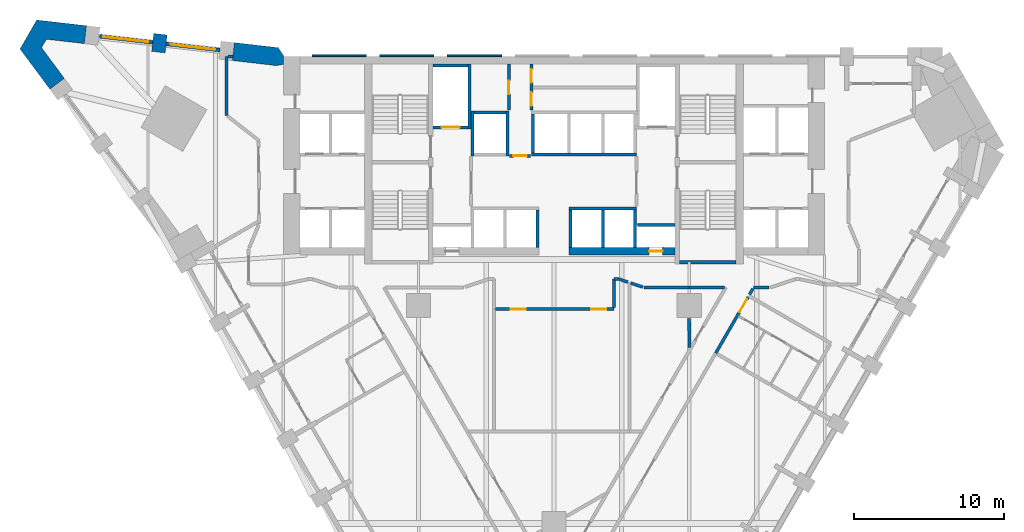
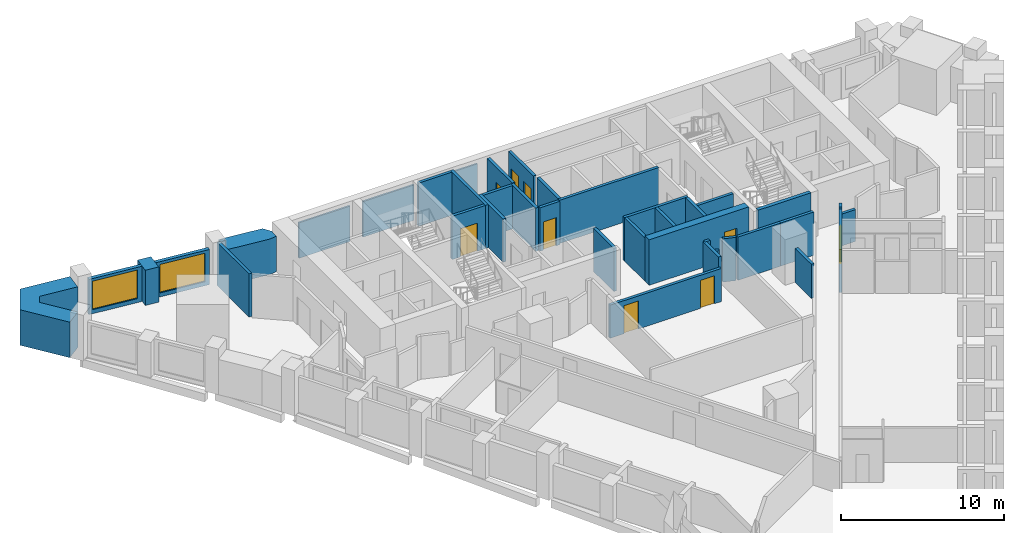
# One storey, part 6 of 10: 40 walls, 9 doors, 2 windows, 11 openings.
"""IFC4 building model written with IfcOpenShell, lengths in metres."""

from ifc_helpers import new_model, si_unit, direction, frame, frame_2d, origin, place, context, subcontext, project, spatial, polyline, rectangle, outline, extrude, material, layer, layer_set, type_object, element, fill, save


model = new_model("IFC4")

# Units and contexts
model_context = context("Model", 3, precision=1e-05, world=origin(), true_north=direction((0.0, 1.0)))
body_context = subcontext(model_context, "Body", "Model", "MODEL_VIEW")
ifc_project = project(units=[si_unit("LENGTHUNIT", "METRE"), si_unit("AREAUNIT", "SQUARE_METRE"), si_unit("VOLUMEUNIT", "CUBIC_METRE"), si_unit("PLANEANGLEUNIT", "RADIAN"), si_unit("MASSUNIT", "GRAM", prefix="KILO")], contexts=[model_context])

# Site, building, storey
site_placement = place(None, origin())
site = spatial("IfcSite", under=ifc_project, at=site_placement, CompositionType="ELEMENT")
building_placement = place(site_placement, origin())
building = spatial("IfcBuilding", under=site, at=building_placement, Name="Calabash Gate Tower", CompositionType="ELEMENT")
storey_placement = place(building_placement, frame((0.0, 0.0, 56.199951171875)))
storey = spatial("IfcBuildingStorey", under=building, at=storey_placement, Name="L09", CompositionType="ELEMENT", Elevation=56.199951171875)

# Walls
ifc_material_1 = material(Name="Terracotta brick masonry, exposed face", Category="masonry")
ifc_layer_1 = layer(ifc_material_1, 1.199951171875)
ifc_layer_set_1 = layer_set([ifc_layer_1], Name="Brick end wall 1200")
wall_type_1 = type_object("IfcWallType", Name="Brick end wall 1200", PredefinedType="SOLIDWALL", material=ifc_layer_set_1)
wall_1_placement = place(storey_placement, frame((-26.173095703125, 20.546142578125, 0.0), z_axis=(0.0, 0.0, 1.0), x_axis=(-0.113735952551, -0.993511013073, 0.0)))
element("IfcWall", 1, at=wall_1_placement, inside=storey, type_object=wall_type_1, Name="Brick pier S02 wedge5.1", PredefinedType="SOLIDWALL", context=body_context, shape_type="SweptSolid", body=[
    extrude(rectangle(XDim=1.199951171875, YDim=0.89990234375, at=frame_2d((0.60009765625, 0.0))), origin(), (0.0, 0.0, 1.0), 2.630126953125),
])
wall_2_placement = place(storey_placement, origin())
element("IfcWall", 2, at=wall_2_placement, inside=storey, type_object=wall_type_1, Name="Brick end wall S02 1", PredefinedType="SOLIDWALL", context=body_context, shape_type="SweptSolid", body=[
    extrude(outline(polyline([(-21.255126953125, 19.983154296875), (-21.39111328125, 18.790771484375), (-18.4716796875, 18.45654296875), (-18.0, 18.53173828125), (-18.0, 19.052490234375), (-17.9404296875, 19.052490234375), (-18.335205078125, 19.648681640625), (-21.255126953125, 19.983154296875)])), origin(), (0.0, 0.0, 1.0), 2.650146484375),
])
wall_3_placement = place(storey_placement, origin())
element("IfcWall", 3, at=wall_3_placement, inside=storey, type_object=wall_type_1, Name="Brick end wall S02 2", PredefinedType="SOLIDWALL", context=body_context, shape_type="SweptSolid", body=[
    extrude(outline(polyline([(-33.75634765625, 20.206787109375), (-31.227294921875, 19.917236328125), (-31.0908203125, 21.109375), (-34.40185546875, 21.48876953125), (-35.512451171875, 19.5654296875), (-33.5283203125, 16.887451171875), (-32.564208984375, 17.601806640625), (-34.07958984375, 19.647216796875), (-33.75634765625, 20.206787109375)])), origin(), (0.0, 0.0, 1.0), 2.650146484375),
])
ifc_material_2 = material(Name="Concrete C80/95", Category="concrete")
ifc_layer_2 = layer(ifc_material_2, 0.25)
ifc_layer_set_2 = layer_set([ifc_layer_2], Name="Core wall 250 Concrete C80/95")
wall_type_2 = type_object("IfcWallType", Name="Core wall 250 Concrete C80/95", PredefinedType="SHEAR", material=ifc_layer_set_2)
wall_4_placement = place(storey_placement, frame((8.35009765625, 5.377685546875, 0.0), z_axis=(0.0, 0.0, 1.0), x_axis=(1.0, 0.0, 0.0)))
element("IfcWall", 4, at=wall_4_placement, inside=storey, type_object=wall_type_2, Name="Core wall Z1-SSE L09", PredefinedType="SHEAR", context=body_context, shape_type="SweptSolid", body=[
    extrude(rectangle(XDim=3.75, YDim=0.25, at=frame_2d((1.875, 0.0))), origin(), (0.0, 0.0, 1.0), 3.400146484375),
])

# Wall, opening, door
ifc_material_3 = material(Name="Concrete C80/95", Category="concrete")
ifc_layer_3 = layer(ifc_material_3, 0.5)
ifc_layer_set_3 = layer_set([ifc_layer_3], Name="Core wall 500 Concrete C80/95")
wall_type_3 = type_object("IfcWallType", Name="Core wall 500 Concrete C80/95", PredefinedType="SHEAR", material=ifc_layer_set_3)
wall_5_placement = place(storey_placement, frame((1.0, 6.1025390625, 0.0), z_axis=(0.0, 0.0, 1.0), x_axis=(1.0, 0.0, 0.0)))
wall_5 = element("IfcWall", 5, at=wall_5_placement, inside=storey, type_object=wall_type_3, Name="Core wall Z1-SB L09", PredefinedType="SHEAR", context=body_context, shape_type="SweptSolid", body=[
    extrude(rectangle(XDim=7.050048828125, YDim=0.5, at=frame_2d((3.52490234375, 0.0))), origin(), (0.0, 0.0, 1.0), 3.400146484375),
])
opening_1_placement = place(wall_5_placement, frame((5.324951171875, 0.0, 0.0)))
opening_1 = element("IfcOpeningElement", 6, at=opening_1_placement, cuts=wall_5, Name="Opening H2-011", PredefinedType="OPENING", context=body_context, shape_type="SweptSolid", body=[
    extrude(rectangle(XDim=0.89990234375, YDim=2.10009765625, at=frame_2d((0.449951171875, 1.050048828125))), frame((0.0, 0.260009765625, 0.0), z_axis=(0.0, -1.0, 0.0), x_axis=(1.0, 0.0, 0.0)), (0.0, 0.0, 1.0), 0.52001953125),
])
ifc_material_4 = material(Name="Steel fire door set with fire-resisting glazing", Category="steel")
door_type_1 = type_object("IfcDoorType", Name="Fire door D07 900x2100 FD90", OperationType="NOTDEFINED", PredefinedType="DOOR", material=ifc_material_4)
door_1_placement = place(opening_1_placement, origin())
door_1 = element("IfcDoor", 7, at=door_1_placement, inside=storey, type_object=door_type_1, Name="Mechanical Riser E door", OperationType="SINGLE_SWING_RIGHT", OverallHeight=2.10009765625, OverallWidth=0.89990234375, PredefinedType="DOOR", context=body_context, shape_type="SweptSolid", body=[
    extrude(rectangle(XDim=0.89990234375, YDim=2.10009765625, at=frame_2d((0.449951171875, 1.050048828125))), frame((0.0, 0.02490234375, 0.0), z_axis=(0.0, -1.0, 0.0), x_axis=(1.0, 0.0, 0.0)), (0.0, 0.0, 1.0), 0.050048828125),
])
fill(opening_1, door_1)

# Wall
ifc_material_5 = material(Name="Gypsum board on steel studs, mineral wool", Category="steel")
ifc_layer_4 = layer(ifc_material_5, 0.199951171875)
ifc_layer_set_4 = layer_set([ifc_layer_4], Name="Partition 200 gypsum board EI 60")
wall_type_4 = type_object("IfcWallType", Name="Partition 200 gypsum board EI 60", PredefinedType="PARTITIONING", material=ifc_layer_set_4)
wall_6_placement = place(storey_placement, frame((9.000244140625, 1.64990234375, 0.0), z_axis=(0.0, 0.0, 1.0), x_axis=(0.000747570187, -0.999999720569, 0.0)))
element("IfcWall", 8, at=wall_6_placement, inside=storey, type_object=wall_type_4, Name="Partition", PredefinedType="PARTITIONING", context=body_context, shape_type="SweptSolid", body=[
    extrude(rectangle(XDim=1.95947265625, YDim=0.199951171875, at=frame_2d((0.979736328125, 0.0))), origin(), (0.0, 0.0, 1.0), 2.552001953125),
])

# Wall, openings, doors
wall_7_placement = place(storey_placement, frame((-3.87939453125, 2.25244140625, 0.0), z_axis=(0.0, 0.0, 1.0), x_axis=(1.0, 0.0, 0.0)))
wall_7 = element("IfcWall", 9, at=wall_7_placement, inside=storey, type_object=wall_type_4, Name="Partition", PredefinedType="PARTITIONING", context=body_context, shape_type="SweptSolid", body=[
    extrude(rectangle(XDim=7.859375, YDim=0.199951171875, at=frame_2d((3.9296875, 0.0))), origin(), (0.0, 0.0, 1.0), 2.4736328125),
])
opening_2_placement = place(wall_7_placement, frame((0.9912109375, 0.0, 0.0)))
opening_2 = element("IfcOpeningElement", 10, at=opening_2_placement, cuts=wall_7, Name="Opening 09-11-008", PredefinedType="OPENING", context=body_context, shape_type="SweptSolid", body=[
    extrude(rectangle(XDim=1.0, YDim=2.10009765625, at=frame_2d((0.5, 1.050048828125))), frame((0.0, 0.10986328125, 0.0), z_axis=(0.0, -1.0, 0.0), x_axis=(1.0, 0.0, 0.0)), (0.0, 0.0, 1.0), 0.219970703125),
])
opening_3_placement = place(wall_7_placement, frame((6.36328125, 0.0, 0.0)))
opening_3 = element("IfcOpeningElement", 11, at=opening_3_placement, cuts=wall_7, Name="Opening 09-11-021", PredefinedType="OPENING", context=body_context, shape_type="SweptSolid", body=[
    extrude(rectangle(XDim=1.0, YDim=2.10009765625, at=frame_2d((0.5, 1.050048828125))), frame((0.0, 0.10986328125, 0.0), z_axis=(0.0, -1.0, 0.0), x_axis=(1.0, 0.0, 0.0)), (0.0, 0.0, 1.0), 0.219970703125),
])
ifc_material_6 = material(Name="Steel fire door set with fire-resisting glazing", Category="steel")
door_type_2 = type_object("IfcDoorType", Name="LD2 Meeting room door 1000x2100", OperationType="NOTDEFINED", PredefinedType="DOOR", material=ifc_material_6)
door_2_placement = place(opening_2_placement, origin())
door_2 = element("IfcDoor", 12, at=door_2_placement, inside=storey, type_object=door_type_2, Name="Meeting room door", OperationType="SINGLE_SWING_LEFT", OverallHeight=2.10009765625, OverallWidth=1.0, PredefinedType="DOOR", context=body_context, shape_type="SweptSolid", body=[
    extrude(rectangle(XDim=1.0, YDim=2.10009765625, at=frame_2d((0.5, 1.050048828125))), frame((0.0, 0.02490234375, 0.0), z_axis=(0.0, -1.0, 0.0), x_axis=(1.0, 0.0, 0.0)), (0.0, 0.0, 1.0), 0.050048828125),
])
fill(opening_2, door_2)
door_3_placement = place(opening_3_placement, origin())
door_3 = element("IfcDoor", 13, at=door_3_placement, inside=storey, type_object=door_type_2, Name="Meeting room door", OperationType="SINGLE_SWING_RIGHT", OverallHeight=2.10009765625, OverallWidth=1.0, PredefinedType="DOOR", context=body_context, shape_type="SweptSolid", body=[
    extrude(rectangle(XDim=1.0, YDim=2.10009765625, at=frame_2d((0.5, 1.050048828125))), frame((0.0, 0.02490234375, 0.0), z_axis=(0.0, -1.0, 0.0), x_axis=(1.0, 0.0, 0.0)), (0.0, 0.0, 1.0), 0.050048828125),
])
fill(opening_3, door_3)

# Wall, opening, door
wall_8_placement = place(storey_placement, frame((10.76123046875, -0.670166015625, 0.0), z_axis=(0.0, 0.0, 1.0), x_axis=(0.499981388828, 0.866036148683, 0.0)))
wall_8 = element("IfcWall", 14, at=wall_8_placement, inside=storey, type_object=wall_type_4, Name="Partition", PredefinedType="PARTITIONING", context=body_context, shape_type="SweptSolid", body=[
    extrude(rectangle(XDim=4.298583984375, YDim=0.199951171875, at=frame_2d((2.1494140625, 0.0))), origin(), (0.0, 0.0, 1.0), 3.22998046875),
])
opening_4_placement = place(wall_8_placement, frame((3.14990234375, 0.0, 0.0)))
opening_4 = element("IfcOpeningElement", 15, at=opening_4_placement, cuts=wall_8, Name="Opening 09-11-012", PredefinedType="OPENING", context=body_context, shape_type="SweptSolid", body=[
    extrude(rectangle(XDim=1.0, YDim=2.10009765625, at=frame_2d((0.5, 1.050048828125))), frame((0.0, 0.10986328125, 0.0), z_axis=(0.0, -1.0, 0.0), x_axis=(1.0, 0.0, 0.0)), (0.0, 0.0, 1.0), 0.219970703125),
])
ifc_material_7 = material(Name="Steel fire door set with fire-resisting glazing", Category="steel")
door_type_3 = type_object("IfcDoorType", Name="WD3 WC lobby door 1000x2100", OperationType="NOTDEFINED", PredefinedType="DOOR", material=ifc_material_7)
door_4_placement = place(opening_4_placement, origin())
door_4 = element("IfcDoor", 16, at=door_4_placement, inside=storey, type_object=door_type_3, Name="WC lobby door", OperationType="SINGLE_SWING_LEFT", OverallHeight=2.10009765625, OverallWidth=1.0, PredefinedType="DOOR", context=body_context, shape_type="SweptSolid", body=[
    extrude(rectangle(XDim=1.0, YDim=2.10009765625, at=frame_2d((0.5, 1.050048828125))), frame((0.0, 0.02490234375, 0.0), z_axis=(0.0, -1.0, 0.0), x_axis=(1.0, 0.0, 0.0)), (0.0, 0.0, 1.0), 0.050048828125),
])
fill(opening_4, door_4)

# Walls
wall_9_placement = place(storey_placement, frame((13.010009765625, 3.228271484375, 0.0), z_axis=(0.0, 0.0, 1.0), x_axis=(0.500689591902, 0.865626901477, 0.0)))
element("IfcWall", 17, at=wall_9_placement, inside=storey, type_object=wall_type_4, Name="Partition", PredefinedType="PARTITIONING", context=body_context, shape_type="SweptSolid", body=[
    extrude(rectangle(XDim=0.444091796875, YDim=0.199951171875, at=frame_2d((0.22216796875, 0.0))), origin(), (0.0, 0.0, 1.0), 3.22998046875),
])
wall_10_placement = place(storey_placement, frame((6.0, 3.69970703125, 0.0), z_axis=(0.0, 0.0, 1.0), x_axis=(0.999999837743, -0.000569661366, 0.0)))
element("IfcWall", 18, at=wall_10_placement, inside=storey, type_object=wall_type_4, Name="Partition", PredefinedType="PARTITIONING", context=body_context, shape_type="SweptSolid", body=[
    extrude(rectangle(XDim=3.0, YDim=0.199951171875, at=frame_2d((1.5, 0.0))), origin(), (0.0, 0.0, 1.0), 3.22998046875),
])
wall_11_placement = place(storey_placement, frame((9.000244140625, 3.697998046875, 0.0), z_axis=(0.0, 0.0, 1.0), x_axis=(0.999999731873, 0.000732293977, 0.0)))
element("IfcWall", 19, at=wall_11_placement, inside=storey, type_object=wall_type_4, Name="Partition", PredefinedType="PARTITIONING", context=body_context, shape_type="SweptSolid", body=[
    extrude(rectangle(XDim=2.333740234375, YDim=0.199951171875, at=frame_2d((1.1669921875, 0.0))), origin(), (0.0, 0.0, 1.0), 3.22998046875),
])
wall_12_placement = place(storey_placement, frame((13.2822265625, 3.699462890625, 0.0), z_axis=(0.0, 0.0, 1.0), x_axis=(1.0, 0.0, 0.0)))
element("IfcWall", 20, at=wall_12_placement, inside=storey, type_object=wall_type_4, Name="Partition", PredefinedType="PARTITIONING", context=body_context, shape_type="SweptSolid", body=[
    extrude(rectangle(XDim=1.017822265625, YDim=0.199951171875, at=frame_2d((0.5087890625, 0.0))), origin(), (0.0, 0.0, 1.0), 2.384033203125),
])
wall_13_placement = place(storey_placement, frame((5.109130859375, 3.9951171875, 0.0), z_axis=(0.0, 0.0, 1.0), x_axis=(0.949177105593, -0.314742469677, 0.0)))
element("IfcWall", 21, at=wall_13_placement, inside=storey, type_object=wall_type_4, Name="Partition", PredefinedType="PARTITIONING", context=body_context, shape_type="SweptSolid", body=[
    extrude(rectangle(XDim=0.838623046875, YDim=0.199951171875, at=frame_2d((0.41943359375, 0.0))), origin(), (0.0, 0.0, 1.0), 3.22998046875),
])
wall_14_placement = place(storey_placement, frame((4.34228515625, 4.25244140625, 0.0), z_axis=(0.0, 0.0, 1.0), x_axis=(0.947797186495, -0.318873788939, 0.0)))
element("IfcWall", 22, at=wall_14_placement, inside=storey, type_object=wall_type_4, Name="Partition", PredefinedType="PARTITIONING", context=body_context, shape_type="SweptSolid", body=[
    extrude(rectangle(XDim=0.608642578125, YDim=0.199951171875, at=frame_2d((0.30419921875, 0.0))), origin(), (0.0, 0.0, 1.0), 2.384033203125),
])
wall_15_placement = place(storey_placement, frame((3.980224609375, 2.352294921875, 0.0), z_axis=(0.0, 0.0, 1.0), x_axis=(0.000900321179, 0.999999594711, 0.0)))
element("IfcWall", 23, at=wall_15_placement, inside=storey, type_object=wall_type_4, Name="Partition", PredefinedType="PARTITIONING", context=body_context, shape_type="SweptSolid", body=[
    extrude(rectangle(XDim=1.898193359375, YDim=0.199951171875, at=frame_2d((0.94921875, 0.0))), origin(), (0.0, 0.0, 1.0), 3.22998046875),
])
wall_16_placement = place(storey_placement, frame((3.98193359375, 4.25048828125, 0.0), z_axis=(0.0, 0.0, 1.0), x_axis=(0.99998531183, 0.00541997459, 0.0)))
element("IfcWall", 24, at=wall_16_placement, inside=storey, type_object=wall_type_4, Name="Partition", PredefinedType="PARTITIONING", context=body_context, shape_type="SweptSolid", body=[
    extrude(rectangle(XDim=0.3603515625, YDim=0.199951171875, at=frame_2d((0.18017578125, 0.0))), origin(), (0.0, 0.0, 1.0), 3.22998046875),
])
wall_17_placement = place(storey_placement, frame((-21.7822265625, 19.052490234375, 0.0), z_axis=(0.0, 0.0, 1.0), x_axis=(0.0, -1.0, 0.0)))
element("IfcWall", 25, at=wall_17_placement, inside=storey, type_object=wall_type_4, Name="Partition", PredefinedType="PARTITIONING", context=body_context, shape_type="SweptSolid", body=[
    extrude(rectangle(XDim=3.900146484375, YDim=0.199951171875, at=frame_2d((1.9501953125, 0.0))), origin(), (0.0, 0.0, 1.0), 3.22998046875),
])
wall_18_placement = place(storey_placement, frame((-21.682373046875, 19.052490234375, 0.0), z_axis=(0.0, 0.0, 1.0), x_axis=(0.999999710853, 0.000760456054, 0.0)))
element("IfcWall", 26, at=wall_18_placement, inside=storey, type_object=wall_type_4, Name="Partition", PredefinedType="PARTITIONING", context=body_context, shape_type="SweptSolid", body=[
    extrude(rectangle(XDim=0.321044921875, YDim=0.199951171875, at=frame_2d((0.16064453125, 0.0))), origin(), (0.0, 0.0, 1.0), 3.22998046875),
])

# Wall, opening, window
ifc_material_8 = material(Name="Aluminium framed window wall with insulated spandrel", Category="aluminium")
ifc_layer_5 = layer(ifc_material_8, 0.25)
ifc_layer_set_5 = layer_set([ifc_layer_5], Name="Prow window wall 250")
wall_type_5 = type_object("IfcWallType", Name="Prow window wall 250", PredefinedType="ELEMENTEDWALL", material=ifc_layer_set_5)
wall_19_placement = place(storey_placement, frame((-22.217529296875, 19.4892578125, 0.0), z_axis=(0.0, 0.0, 1.0), x_axis=(-0.993504225498, 0.113795228013, 0.0)))
wall_19 = element("IfcWall", 27, at=wall_19_placement, inside=storey, type_object=wall_type_5, Name="Prow window wall S02 wedge5.1", PredefinedType="ELEMENTEDWALL", context=body_context, shape_type="SweptSolid", body=[
    extrude(rectangle(XDim=3.60009765625, YDim=0.25, at=frame_2d((1.800048828125, 0.0))), origin(), (0.0, 0.0, 1.0), 2.630126953125),
])
opening_5_placement = place(wall_19_placement, frame((0.300048828125, 0.0, 0.300048828125)))
opening_5 = element("IfcOpeningElement", 28, at=opening_5_placement, cuts=wall_19, Name="Opening WP1L-2130", PredefinedType="OPENING", context=body_context, shape_type="SweptSolid", body=[
    extrude(rectangle(XDim=3.0, YDim=2.1298828125, at=frame_2d((1.5, 1.06494140625))), frame((0.0, 0.135009765625, 0.0), z_axis=(0.0, -1.0, 0.0), x_axis=(1.0, 0.0, 0.0)), (0.0, 0.0, 1.0), 0.27001953125),
])
ifc_material_9 = material(Name="Anodised aluminium frame, bronze finish, impact-rated laminated clear glazing", Category="aluminium")
window_type = type_object("IfcWindowType", Name="Window WP1L 3000x2130", PartitioningType="DOUBLE_PANEL_VERTICAL", PredefinedType="WINDOW", material=ifc_material_9)
window_1_placement = place(opening_5_placement, origin())
window_1 = element("IfcWindow", 29, at=window_1_placement, inside=storey, type_object=window_type, Name="Prow window WP1L S02 wedge5.1", OverallHeight=2.1298828125, OverallWidth=3.0, PartitioningType="SINGLE_PANEL", PredefinedType="WINDOW", context=body_context, shape_type="SweptSolid", body=[
    extrude(rectangle(XDim=3.0, YDim=2.1298828125, at=frame_2d((1.5, 1.06494140625))), frame((0.0, 0.030029296875, 0.0), z_axis=(0.0, -1.0, 0.0), x_axis=(1.0, 0.0, 0.0)), (0.0, 0.0, 1.0), 0.06005859375),
])
fill(opening_5, window_1)

wall_20_placement = place(storey_placement, frame((-26.686279296875, 20.001220703125, 0.0), z_axis=(0.0, 0.0, 1.0), x_axis=(-0.993509390647, 0.113750123938, 0.0)))
wall_20 = element("IfcWall", 30, at=wall_20_placement, inside=storey, type_object=wall_type_5, Name="Prow window wall S02 wedge5.2", PredefinedType="ELEMENTEDWALL", context=body_context, shape_type="SweptSolid", body=[
    extrude(rectangle(XDim=3.552001953125, YDim=0.25, at=frame_2d((1.77587890625, 0.0))), origin(), (0.0, 0.0, 1.0), 2.630126953125),
])
opening_6_placement = place(wall_20_placement, frame((0.302001953125, 0.0, 0.300048828125)))
opening_6 = element("IfcOpeningElement", 31, at=opening_6_placement, cuts=wall_20, Name="Opening WP1L-2130", PredefinedType="OPENING", context=body_context, shape_type="SweptSolid", body=[
    extrude(rectangle(XDim=3.0, YDim=2.1298828125, at=frame_2d((1.5, 1.06494140625))), frame((0.0, 0.135009765625, 0.0), z_axis=(0.0, -1.0, 0.0), x_axis=(1.0, 0.0, 0.0)), (0.0, 0.0, 1.0), 0.27001953125),
])
window_2_placement = place(opening_6_placement, origin())
window_2 = element("IfcWindow", 32, at=window_2_placement, inside=storey, type_object=window_type, Name="Prow window WP1L S02 wedge5.2", OverallHeight=2.1298828125, OverallWidth=3.0, PartitioningType="SINGLE_PANEL", PredefinedType="WINDOW", context=body_context, shape_type="SweptSolid", body=[
    extrude(rectangle(XDim=3.0, YDim=2.1298828125, at=frame_2d((1.5, 1.06494140625))), frame((0.0, 0.030029296875, 0.0), z_axis=(0.0, -1.0, 0.0), x_axis=(1.0, 0.0, 0.0)), (0.0, 0.0, 1.0), 0.06005859375),
])
fill(opening_6, window_2)

# Walls
ifc_material_10 = material(Name="Concrete C40/50", Category="concrete")
ifc_layer_6 = layer(ifc_material_10, 0.199951171875)
ifc_layer_set_6 = layer_set([ifc_layer_6], Name="Shaft wall 200 Concrete C40/50")
wall_type_6 = type_object("IfcWallType", Name="Shaft wall 200 Concrete C40/50", PredefinedType="SOLIDWALL", material=ifc_layer_set_6)
for number, where, z_axis, x_axis, name in (
    (33, (-1.10009765625, 6.3525390625, 0.0), (0.0, 0.0, 1.0), (0.0, 1.0, 0.0), "Shaft wall"),
    (34, (1.10009765625, 6.3525390625, 0.0), (0.0, 0.0, 1.0), (0.0, 1.0, 0.0), "Shaft wall"),
    (35, (3.25, 6.3525390625, 0.0), (0.0, 0.0, 1.0), (0.0, 1.0, 0.0), "Shaft wall"),
    (36, (5.39990234375, 6.3525390625, 0.0), (0.0, 0.0, 1.0), (0.0, 1.0, 0.0), "Shaft wall"),
    (37, (5.550048828125, 7.8525390625, 0.0), (0.0, 0.0, 1.0), (1.0, 0.0, 0.0), "Shaft wall"),
):
    element("IfcWall", number, at=place(storey_placement, frame(where, z_axis=z_axis, x_axis=x_axis)), inside=storey, type_object=wall_type_6, Name=name, PredefinedType="SOLIDWALL", context=body_context, shape_type="SweptSolid", body=[
        extrude(rectangle(XDim=2.5, YDim=0.199951171875, at=frame_2d((1.25, 0.0))), origin(), (0.0, 0.0, 1.0), 3.22998046875),
    ])
wall_21_placement = place(storey_placement, frame((1.0, 8.95263671875, 0.0), z_axis=(0.0, 0.0, 1.0), x_axis=(1.0, 0.0, 0.0)))
element("IfcWall", 38, at=wall_21_placement, inside=storey, type_object=wall_type_6, Name="Shaft wall", PredefinedType="SOLIDWALL", context=body_context, shape_type="SweptSolid", body=[
    extrude(rectangle(XDim=4.5, YDim=0.199951171875, at=frame_2d((2.25, 0.0))), origin(), (0.0, 0.0, 1.0), 3.22998046875),
])

# Wall, opening, door
wall_22_placement = place(storey_placement, frame((-2.949951171875, 12.45263671875, 0.0), z_axis=(0.0, 0.0, 1.0), x_axis=(1.0, 0.0, 0.0)))
wall_22 = element("IfcWall", 39, at=wall_22_placement, inside=storey, type_object=wall_type_6, Name="Shaft wall", PredefinedType="SOLIDWALL", context=body_context, shape_type="SweptSolid", body=[
    extrude(rectangle(XDim=1.39990234375, YDim=0.199951171875, at=frame_2d((0.699951171875, 0.0))), origin(), (0.0, 0.0, 1.0), 3.22998046875),
])
opening_7_placement = place(wall_22_placement, frame((0.25, 0.0, 0.0)))
opening_7 = element("IfcOpeningElement", 40, at=opening_7_placement, cuts=wall_22, Name="Opening H2-005", PredefinedType="OPENING", context=body_context, shape_type="SweptSolid", body=[
    extrude(rectangle(XDim=0.89990234375, YDim=2.10009765625, at=frame_2d((0.449951171875, 1.050048828125))), frame((0.0, 0.10986328125, 0.0), z_axis=(0.0, -1.0, 0.0), x_axis=(1.0, 0.0, 0.0)), (0.0, 0.0, 1.0), 0.219970703125),
])
ifc_material_11 = material(Name="Steel fire door set with fire-resisting glazing", Category="steel")
door_type_4 = type_object("IfcDoorType", Name="Fire door D06 900x2100 FD60", OperationType="NOTDEFINED", PredefinedType="DOOR", material=ifc_material_11)
door_5_placement = place(opening_7_placement, origin())
door_5 = element("IfcDoor", 41, at=door_5_placement, inside=storey, type_object=door_type_4, Name="Service Corridor door", OperationType="SINGLE_SWING_RIGHT", OverallHeight=2.10009765625, OverallWidth=0.89990234375, PredefinedType="DOOR", context=body_context, shape_type="SweptSolid", body=[
    extrude(rectangle(XDim=0.89990234375, YDim=2.10009765625, at=frame_2d((0.449951171875, 1.050048828125))), frame((0.0, 0.02490234375, 0.0), z_axis=(0.0, -1.0, 0.0), x_axis=(1.0, 0.0, 0.0)), (0.0, 0.0, 1.0), 0.050048828125),
])
fill(opening_7, door_5)

# Walls
for number, where, z_axis, x_axis, name in (
    (42, (-5.39990234375, 12.45263671875, 0.0), (0.0, 0.0, 1.0), (0.0, 1.0, 0.0), "Shaft wall"),
    (43, (-3.10009765625, 12.45263671875, 0.0), (0.0, 0.0, 1.0), (0.0, 1.0, 0.0), "Shaft wall"),
):
    element("IfcWall", number, at=place(storey_placement, frame(where, z_axis=z_axis, x_axis=x_axis)), inside=storey, type_object=wall_type_6, Name=name, PredefinedType="SOLIDWALL", context=body_context, shape_type="SweptSolid", body=[
        extrude(rectangle(XDim=3.0, YDim=0.199951171875, at=frame_2d((1.5, 0.0))), origin(), (0.0, 0.0, 1.0), 3.22998046875),
    ])
wall_23_placement = place(storey_placement, frame((-1.5, 12.552490234375, 0.0), z_axis=(0.0, 0.0, 1.0), x_axis=(1.0, 0.0, 0.0)))
element("IfcWall", 44, at=wall_23_placement, inside=storey, type_object=wall_type_6, Name="Shaft wall", PredefinedType="SOLIDWALL", context=body_context, shape_type="SweptSolid", body=[
    extrude(rectangle(XDim=7.0, YDim=0.199951171875, at=frame_2d((3.5, 0.0))), origin(), (0.0, 0.0, 1.0), 3.22998046875),
])
wall_24_placement = place(storey_placement, frame((-1.39990234375, 12.652587890625, 0.0), z_axis=(0.0, 0.0, 1.0), x_axis=(0.0, 1.0, 0.0)))
element("IfcWall", 45, at=wall_24_placement, inside=storey, type_object=wall_type_6, Name="Shaft wall", PredefinedType="SOLIDWALL", context=body_context, shape_type="SweptSolid", body=[
    extrude(rectangle(XDim=2.60009765625, YDim=0.199951171875, at=frame_2d((1.300048828125, 0.0))), origin(), (0.0, 0.0, 1.0), 3.22998046875),
])

# Wall, opening, door
wall_25_placement = place(storey_placement, frame((-8.050048828125, 14.3525390625, 0.0), z_axis=(0.0, 0.0, 1.0), x_axis=(1.0, 0.0, 0.0)))
wall_25 = element("IfcWall", 46, at=wall_25_placement, inside=storey, type_object=wall_type_6, Name="Shaft wall", PredefinedType="SOLIDWALL", context=body_context, shape_type="SweptSolid", body=[
    extrude(rectangle(XDim=2.35009765625, YDim=0.199951171875, at=frame_2d((1.175048828125, 0.0))), origin(), (0.0, 0.0, 1.0), 3.22998046875),
])
opening_8_placement = place(wall_25_placement, frame((0.574951171875, 0.0, 0.0)))
opening_8 = element("IfcOpeningElement", 47, at=opening_8_placement, cuts=wall_25, Name="Opening LD-FF1", PredefinedType="OPENING", context=body_context, shape_type="SweptSolid", body=[
    extrude(rectangle(XDim=1.199951171875, YDim=2.10009765625, at=frame_2d((0.60009765625, 1.050048828125))), frame((0.0, 0.10986328125, 0.0), z_axis=(0.0, -1.0, 0.0), x_axis=(1.0, 0.0, 0.0)), (0.0, 0.0, 1.0), 0.219970703125),
])
ifc_material_12 = material(Name="Stainless steel sliding door leaves", Category="steel")
door_type_5 = type_object("IfcDoorType", Name="Lift landing door LS3 1200x2100 FD90", OperationType="DOUBLE_DOOR_SLIDING", PredefinedType="DOOR", material=ifc_material_12)
door_6_placement = place(opening_8_placement, origin())
door_6 = element("IfcDoor", 48, at=door_6_placement, inside=storey, type_object=door_type_5, Name="Lift landing door FF1", OperationType="DOUBLE_DOOR_SLIDING", OverallHeight=2.10009765625, OverallWidth=1.199951171875, PredefinedType="DOOR", context=body_context, shape_type="SweptSolid", body=[
    extrude(rectangle(XDim=1.199951171875, YDim=2.10009765625, at=frame_2d((0.60009765625, 1.050048828125))), frame((0.0, 0.02490234375, 0.0), z_axis=(0.0, -1.0, 0.0), x_axis=(1.0, 0.0, 0.0)), (0.0, 0.0, 1.0), 0.050048828125),
])
fill(opening_8, door_6)

# Walls
wall_26_placement = place(storey_placement, frame((-5.60009765625, 14.252685546875, 0.0), z_axis=(0.0, 0.0, 1.0), x_axis=(0.0, 1.0, 0.0)))
element("IfcWall", 49, at=wall_26_placement, inside=storey, type_object=wall_type_6, Name="Shaft wall", PredefinedType="SOLIDWALL", context=body_context, shape_type="SweptSolid", body=[
    extrude(rectangle(XDim=4.2998046875, YDim=0.199951171875, at=frame_2d((2.14990234375, 0.0))), origin(), (0.0, 0.0, 1.0), 3.22998046875),
])
wall_27_placement = place(storey_placement, frame((-5.300048828125, 15.3525390625, 0.0), z_axis=(0.0, 0.0, 1.0), x_axis=(1.0, 0.0, 0.0)))
element("IfcWall", 50, at=wall_27_placement, inside=storey, type_object=wall_type_6, Name="Shaft wall", PredefinedType="SOLIDWALL", context=body_context, shape_type="SweptSolid", body=[
    extrude(rectangle(XDim=2.10009765625, YDim=0.199951171875, at=frame_2d((1.050048828125, 0.0))), origin(), (0.0, 0.0, 1.0), 3.22998046875),
])

# Wall, opening, door
wall_28_placement = place(storey_placement, frame((-3.0, 15.502685546875, 0.0), z_axis=(0.0, 0.0, 1.0), x_axis=(0.0, 1.0, 0.0)))
wall_28 = element("IfcWall", 51, at=wall_28_placement, inside=storey, type_object=wall_type_6, Name="Shaft wall", PredefinedType="SOLIDWALL", context=body_context, shape_type="SweptSolid", body=[
    extrude(rectangle(XDim=3.0498046875, YDim=0.199951171875, at=frame_2d((1.52490234375, 0.0))), origin(), (0.0, 0.0, 1.0), 3.22998046875),
])
opening_9_placement = place(wall_28_placement, frame((1.050048828125, 0.0, 0.0)))
opening_9 = element("IfcOpeningElement", 52, at=opening_9_placement, cuts=wall_28, Name="Opening H2-008", PredefinedType="OPENING", context=body_context, shape_type="SweptSolid", body=[
    extrude(rectangle(XDim=0.89990234375, YDim=2.10009765625, at=frame_2d((0.449951171875, 1.050048828125))), frame((0.0, 0.10986328125, 0.0), z_axis=(0.0, -1.0, 0.0), x_axis=(1.0, 0.0, 0.0)), (0.0, 0.0, 1.0), 0.219970703125),
])
door_7_placement = place(opening_9_placement, origin())
door_7 = element("IfcDoor", 53, at=door_7_placement, inside=storey, type_object=door_type_4, Name="Linen Store door", OperationType="SINGLE_SWING_LEFT", OverallHeight=2.10009765625, OverallWidth=0.89990234375, PredefinedType="DOOR", context=body_context, shape_type="SweptSolid", body=[
    extrude(rectangle(XDim=0.89990234375, YDim=2.10009765625, at=frame_2d((0.449951171875, 1.050048828125))), frame((0.0, 0.02490234375, 0.0), z_axis=(0.0, -1.0, 0.0), x_axis=(1.0, 0.0, 0.0)), (0.0, 0.0, 1.0), 0.050048828125),
])
fill(opening_9, door_7)

# Wall, openings, doors
wall_29_placement = place(storey_placement, frame((-1.5, 15.502685546875, 0.0), z_axis=(0.0, 0.0, 1.0), x_axis=(0.0, 1.0, 0.0)))
wall_29 = element("IfcWall", 54, at=wall_29_placement, inside=storey, type_object=wall_type_6, Name="Shaft wall", PredefinedType="SOLIDWALL", context=body_context, shape_type="SweptSolid", body=[
    extrude(rectangle(XDim=3.0498046875, YDim=0.199951171875, at=frame_2d((1.52490234375, 0.0))), origin(), (0.0, 0.0, 1.0), 3.22998046875),
])
opening_10_placement = place(wall_29_placement, frame((0.27490234375, 0.0, 0.0)))
opening_10 = element("IfcOpeningElement", 55, at=opening_10_placement, cuts=wall_29, Name="Opening H2-009", PredefinedType="OPENING", context=body_context, shape_type="SweptSolid", body=[
    extrude(rectangle(XDim=0.89990234375, YDim=2.10009765625, at=frame_2d((0.449951171875, 1.050048828125))), frame((0.0, 0.10986328125, 0.0), z_axis=(0.0, -1.0, 0.0), x_axis=(1.0, 0.0, 0.0)), (0.0, 0.0, 1.0), 0.219970703125),
])
opening_11_placement = place(wall_29_placement, frame((1.824951171875, 0.0, 0.0)))
opening_11 = element("IfcOpeningElement", 56, at=opening_11_placement, cuts=wall_29, Name="Opening H2-010", PredefinedType="OPENING", context=body_context, shape_type="SweptSolid", body=[
    extrude(rectangle(XDim=0.89990234375, YDim=2.10009765625, at=frame_2d((0.449951171875, 1.050048828125))), frame((0.0, 0.10986328125, 0.0), z_axis=(0.0, -1.0, 0.0), x_axis=(1.0, 0.0, 0.0)), (0.0, 0.0, 1.0), 0.219970703125),
])
door_8_placement = place(opening_10_placement, origin())
door_8 = element("IfcDoor", 57, at=door_8_placement, inside=storey, type_object=door_type_4, Name="Ice and Vending door", OperationType="SINGLE_SWING_LEFT", OverallHeight=2.10009765625, OverallWidth=0.89990234375, PredefinedType="DOOR", context=body_context, shape_type="SweptSolid", body=[
    extrude(rectangle(XDim=0.89990234375, YDim=2.10009765625, at=frame_2d((0.449951171875, 1.050048828125))), frame((0.0, 0.02490234375, 0.0), z_axis=(0.0, -1.0, 0.0), x_axis=(1.0, 0.0, 0.0)), (0.0, 0.0, 1.0), 0.050048828125),
])
fill(opening_10, door_8)
door_9_placement = place(opening_11_placement, origin())
door_9 = element("IfcDoor", 58, at=door_9_placement, inside=storey, type_object=door_type_4, Name="Cleaner's Store door", OperationType="SINGLE_SWING_LEFT", OverallHeight=2.10009765625, OverallWidth=0.89990234375, PredefinedType="DOOR", context=body_context, shape_type="SweptSolid", body=[
    extrude(rectangle(XDim=0.89990234375, YDim=2.10009765625, at=frame_2d((0.449951171875, 1.050048828125))), frame((0.0, 0.02490234375, 0.0), z_axis=(0.0, -1.0, 0.0), x_axis=(1.0, 0.0, 0.0)), (0.0, 0.0, 1.0), 0.050048828125),
])
fill(opening_11, door_9)

# Walls
wall_30_placement = place(storey_placement, frame((-8.050048828125, 18.45263671875, 0.0), z_axis=(0.0, 0.0, 1.0), x_axis=(1.0, 0.0, 0.0)))
element("IfcWall", 59, at=wall_30_placement, inside=storey, type_object=wall_type_6, Name="Shaft wall", PredefinedType="SOLIDWALL", context=body_context, shape_type="SweptSolid", body=[
    extrude(rectangle(XDim=2.35009765625, YDim=0.199951171875, at=frame_2d((1.175048828125, 0.0))), origin(), (0.0, 0.0, 1.0), 3.22998046875),
])
ifc_material_13 = material(Name="Terracotta brick masonry, perforated", Category="masonry")
ifc_layer_7 = layer(ifc_material_13, 0.1201171875)
ifc_layer_set_7 = layer_set([ifc_layer_7], Name="Terracotta jaali cladding B 120")
wall_type_7 = type_object("IfcWallType", Name="Terracotta jaali cladding B 120", PredefinedType="SOLIDWALL", material=ifc_layer_set_7)
wall_31_placement = place(storey_placement, origin())
element("IfcWall", 60, at=wall_31_placement, inside=storey, type_object=wall_type_7, Name="Jaali cladding S02 N4.7", PredefinedType="SOLIDWALL", context=body_context, shape_type="SweptSolid", body=[
    extrude(outline(polyline([(-7.086181640625, 19.172607421875), (-7.086181640625, 19.052490234375), (-3.486083984375, 19.052490234375), (-3.486083984375, 19.172607421875), (-7.086181640625, 19.172607421875)])), origin(), (0.0, 0.0, 1.0), 2.650146484375),
])
wall_32_placement = place(storey_placement, origin())
element("IfcWall", 61, at=wall_32_placement, inside=storey, type_object=wall_type_7, Name="Jaali cladding S02 N4.9", PredefinedType="SOLIDWALL", context=body_context, shape_type="SweptSolid", body=[
    extrude(outline(polyline([(-16.086181640625, 19.172607421875), (-16.086181640625, 19.052490234375), (-12.486083984375, 19.052490234375), (-12.486083984375, 19.172607421875), (-16.086181640625, 19.172607421875)])), origin(), (0.0, 0.0, 1.0), 2.650146484375),
])
ifc_material_14 = material(Name="Terracotta louvre blades in an aluminium frame", Category="masonry")
ifc_layer_8 = layer(ifc_material_14, 0.1201171875)
ifc_layer_set_8 = layer_set([ifc_layer_8], Name="Terracotta vent louvre cladding 120")
wall_type_8 = type_object("IfcWallType", Name="Terracotta vent louvre cladding 120", PredefinedType="ELEMENTEDWALL", material=ifc_layer_set_8)
wall_33_placement = place(storey_placement, origin())
element("IfcWall", 62, at=wall_33_placement, inside=storey, type_object=wall_type_8, Name="Vent louvre cladding S02 N4.8", PredefinedType="ELEMENTEDWALL", context=body_context, shape_type="SweptSolid", body=[
    extrude(outline(polyline([(-11.586181640625, 19.172607421875), (-11.586181640625, 19.052490234375), (-7.986083984375, 19.052490234375), (-7.986083984375, 19.172607421875), (-11.586181640625, 19.172607421875)])), origin(), (0.0, 0.0, 1.0), 2.650146484375),
])

save(model, "model.ifc")
